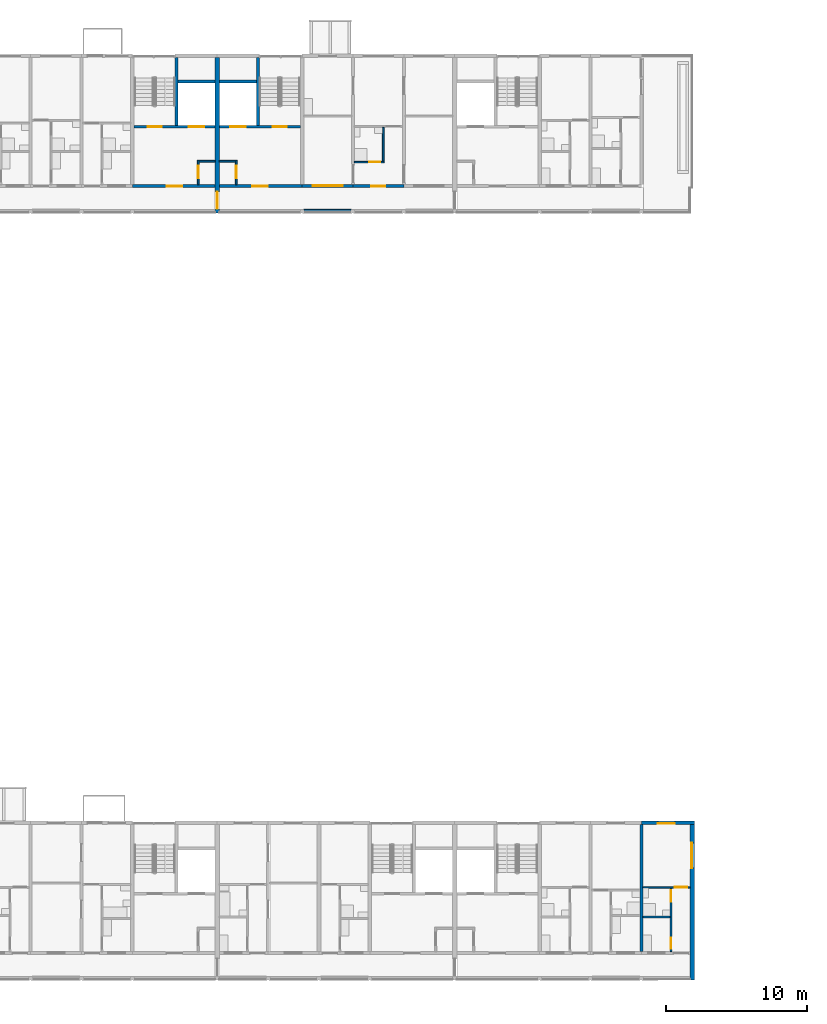
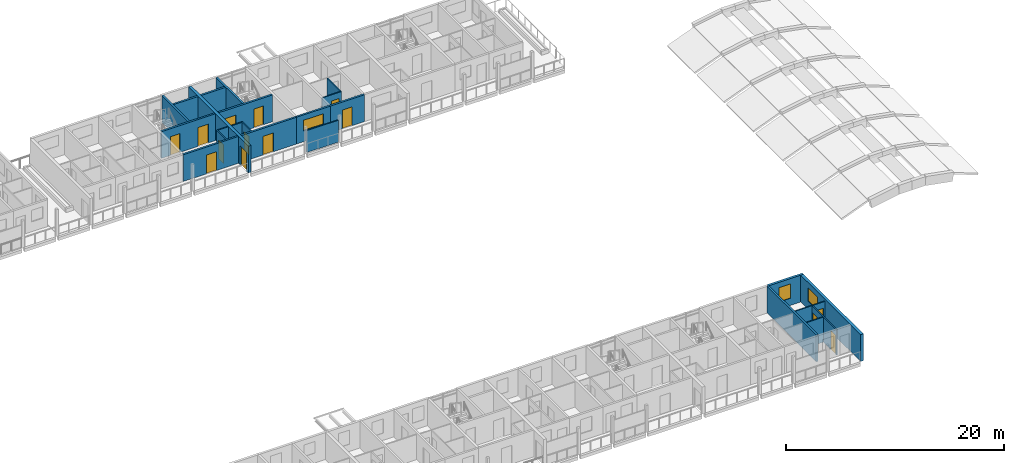
# One storey, part 40 of 93: 24 walls, 14 doors, 3 windows, 17 openings.
"""IFC4 building model written with IfcOpenShell, lengths in metres."""

import ifcopenshell
import ifcopenshell.guid

model = None  # the IFC model being written
_history = None  # IfcOwnerHistory: only IFC2X3 demands one
_inside = {}  # id of a spatial element -> (the spatial element, [elements in it])
_under = {}  # id of a project, library or spatial element -> (it, [spatial elements below it])
_declared = {}  # id of a project -> (the project, [libraries it declares])
_typed = {}  # id of a type object -> (the type object, [elements of that type])
_made_of = {}  # id of a material, layer set ... -> (it, [elements and type objects made of it])


def new_model(schema):
    """Start an empty IFC model of exactly this schema.

    Asked for "IFC4X3", IfcOpenShell would pick the latest addendum, in which some entities
    have other attributes; the version numbers below select the first issue.
    IFC2X3 requires an IfcOwnerHistory on every rooted entity: one is made here for all.
    """
    global model, _history
    if schema == "IFC4X3":
        model = ifcopenshell.file(schema_version=(4, 3, 0, 0))
    else:
        model = ifcopenshell.file(schema=schema)
    _inside.clear()
    _under.clear()
    _declared.clear()
    _typed.clear()
    _made_of.clear()
    _history = None
    if model.schema == "IFC2X3":
        org = make("IfcOrganization", Name="unknown")
        user = make(
            "IfcPersonAndOrganization",
            ThePerson=make("IfcPerson", FamilyName="unknown"),
            TheOrganization=org,
        )
        app = make(
            "IfcApplication",
            ApplicationDeveloper=org,
            Version="unknown",
            ApplicationFullName="unknown",
            ApplicationIdentifier="unknown",
        )
        _history = make(
            "IfcOwnerHistory",
            OwningUser=user,
            OwningApplication=app,
            ChangeAction="ADDED",
            CreationDate=0,
        )
    return model


def make(cls, **values):
    """One entity of the class cls with the attributes given. An attribute that is None is left unset."""
    return model.create_entity(
        cls, **{name: value for name, value in values.items() if value is not None}
    )


def rooted(cls, **values):
    """An entity with a GlobalId (a new one), such as an element, a storey or a relation."""
    return make(cls, GlobalId=ifcopenshell.guid.new(), OwnerHistory=_history, **values)


def si_unit(unit_type, name, prefix=None):
    """IfcSIUnit, for example si_unit("LENGTHUNIT", "METRE", prefix="MILLI")."""
    return make("IfcSIUnit", UnitType=unit_type, Prefix=prefix, Name=name)


def assignment(units):
    """IfcUnitAssignment: the units of a project."""
    return None if units is None else make("IfcUnitAssignment", Units=units)


def point(xyz):
    """IfcCartesianPoint."""
    return None if xyz is None else make("IfcCartesianPoint", Coordinates=xyz)


def direction(xyz):
    """IfcDirection."""
    return None if xyz is None else make("IfcDirection", DirectionRatios=xyz)


def frame(location, z_axis=None, x_axis=None):
    """IfcAxis2Placement3D, a coordinate frame: its origin and axes. An axis left out is left unset."""
    return make(
        "IfcAxis2Placement3D",
        Location=point(location),
        Axis=direction(z_axis),
        RefDirection=direction(x_axis),
    )


def frame_2d(location, x_axis=None):
    """IfcAxis2Placement2D, a coordinate frame in the plane: its origin and x axis."""
    return make(
        "IfcAxis2Placement2D", Location=point(location), RefDirection=direction(x_axis)
    )


def origin():
    """The frame at (0, 0, 0) with its axes left unset."""
    return frame((0.0, 0.0, 0.0))


def place(relative_to, where):
    """IfcLocalPlacement: puts the frame where relative to a parent placement (None: the world)."""
    return make(
        "IfcLocalPlacement", PlacementRelTo=relative_to, RelativePlacement=where
    )


def context(
    kind, dimensions, precision=None, world=None, true_north=None, identifier=None
):
    """IfcGeometricRepresentationContext, for example the 3D "Model" context."""
    return make(
        "IfcGeometricRepresentationContext",
        ContextIdentifier=identifier,
        ContextType=kind,
        CoordinateSpaceDimension=dimensions,
        Precision=precision,
        WorldCoordinateSystem=world,
        TrueNorth=true_north,
    )


def subcontext(parent, identifier, kind, view, scale=None):
    """IfcGeometricRepresentationSubContext, for example "Body" below "Model"."""
    return make(
        "IfcGeometricRepresentationSubContext",
        ContextIdentifier=identifier,
        ContextType=kind,
        ParentContext=parent,
        TargetScale=scale,
        TargetView=view,
    )


def project(units=None, contexts=None):
    """IfcProject with its units and contexts."""
    return rooted(
        "IfcProject",
        Name="project",
        RepresentationContexts=contexts,
        UnitsInContext=assignment(units),
    )


def spatial(cls, under=None, at=None, **own):
    """A site, building, storey or space (cls), placed at a placement, below another one or the project."""
    s = rooted(cls, ObjectPlacement=at, **own)
    if under is not None:
        _under.setdefault(under.id(), (under, []))[1].append(s)
    return s


def profile(cls, at=None, kind="AREA", **sizes):
    """A parametric profile (cls). Its sizes go by their IFC names, for example OverallWidth=200.0."""
    return make(cls, ProfileType=kind, Position=at, **sizes)


def rectangle(**sizes):
    """IfcRectangleProfileDef."""
    return profile("IfcRectangleProfileDef", **sizes)


def extrude(swept, where, along, depth):
    """IfcExtrudedAreaSolid: the profile swept, set in the frame where, extruded along a direction by depth."""
    return make(
        "IfcExtrudedAreaSolid",
        SweptArea=swept,
        Position=where,
        ExtrudedDirection=direction(along),
        Depth=depth,
    )


def shape(context_of_items, identifier, shape_type, items):
    """IfcShapeRepresentation: the items that make up one representation, for example the "Body"."""
    return make(
        "IfcShapeRepresentation",
        ContextOfItems=context_of_items,
        RepresentationIdentifier=identifier,
        RepresentationType=shape_type,
        Items=items,
    )


def material(Name=None, Category=None):
    """IfcMaterial."""
    return make("IfcMaterial", Name=Name, Category=Category)


def layer(
    of_material, thickness, ventilated=None, Name=None, Category=None, Priority=None
):
    """IfcMaterialLayer: one layer of a wall or slab, of a material (None: an air gap)."""
    return make(
        "IfcMaterialLayer",
        Material=of_material,
        LayerThickness=thickness,
        IsVentilated=ventilated,
        Name=Name,
        Category=Category,
        Priority=Priority,
    )


def layer_set(layers, Name=None):
    """IfcMaterialLayerSet."""
    return make("IfcMaterialLayerSet", MaterialLayers=layers, LayerSetName=Name)


def made_of(thing, what):
    """Note that an element or type object is made of a material, layer set ...; save() writes the relation."""
    if what is not None:
        _made_of.setdefault(what.id(), (what, []))[1].append(thing)
    return thing


def type_object(cls, material=None, **own):
    """A type object (cls), such as IfcWallType, which elements share."""
    return made_of(rooted(cls, **own), material)


def element(
    cls,
    number,
    at=None,
    inside=None,
    cuts=None,
    type_object=None,
    material=None,
    context=None,
    identifier="Body",
    shape_type=None,
    held_by="IfcProductDefinitionShape",
    body=None,
    shapes=None,
    **own,
):
    """One element of the class cls, such as IfcWall. Its Tag is "e" and its number.

    at: its placement. inside: the storey or other place that contains it. cuts: it is an
    opening in that element (IfcRelVoidsElement). A single representation is given by context,
    identifier, shape_type and body (its items); several are given by shapes. held_by: the class
    of the entity that holds the representations. save() writes the other relations.
    """
    e = rooted(cls, Tag="e%d" % number, ObjectPlacement=at, **own)
    if body is not None:
        shapes = [shape(context, identifier, shape_type, body)]
    if shapes is not None:
        e.Representation = make(held_by, Representations=shapes)
    if inside is not None:
        _inside.setdefault(inside.id(), (inside, []))[1].append(e)
    if cuts is not None:
        rooted(
            "IfcRelVoidsElement", RelatingBuildingElement=cuts, RelatedOpeningElement=e
        )
    if type_object is not None:
        _typed.setdefault(type_object.id(), (type_object, []))[1].append(e)
    return made_of(e, material)


def fill(opening, filler):
    """IfcRelFillsElement: the door or window that sits in an opening."""
    return rooted(
        "IfcRelFillsElement",
        RelatingOpeningElement=opening,
        RelatedBuildingElement=filler,
    )


def aggregate(whole, parts):
    """IfcRelAggregates: a whole, such as a stair, and the parts it consists of."""
    return rooted("IfcRelAggregates", RelatingObject=whole, RelatedObjects=parts)


def save(model, path):
    """Write the relations noted so far, then the file.

    IfcRelAggregates (storeys below a building ...), IfcRelContainedInSpatialStructure (elements
    in a storey), IfcRelDefinesByType, IfcRelAssociatesMaterial and IfcRelDeclares: one each for
    every whole, place, type object, material and project.
    """
    for whole, parts in _under.values():
        aggregate(whole, parts)
    for where, things in _inside.values():
        rooted(
            "IfcRelContainedInSpatialStructure",
            RelatedElements=things,
            RelatingStructure=where,
        )
    for kind, things in _typed.values():
        rooted("IfcRelDefinesByType", RelatedObjects=things, RelatingType=kind)
    for what, things in _made_of.values():
        rooted("IfcRelAssociatesMaterial", RelatedObjects=things, RelatingMaterial=what)
    for by, libraries in _declared.values():
        rooted("IfcRelDeclares", RelatingContext=by, RelatedDefinitions=libraries)
    model.write(path)


model = new_model("IFC4")

# Units and contexts
model_context = context("Model", 3, precision=1e-05, world=origin(), true_north=direction((0.0, 1.0)))
body_context = subcontext(model_context, "Body", "Model", "MODEL_VIEW")
ifc_project = project(units=[si_unit("LENGTHUNIT", "METRE"), si_unit("AREAUNIT", "SQUARE_METRE"), si_unit("VOLUMEUNIT", "CUBIC_METRE"), si_unit("PLANEANGLEUNIT", "RADIAN"), si_unit("MASSUNIT", "GRAM", prefix="KILO")], contexts=[model_context])

# Site, building, storey
site_placement = place(None, origin())
site = spatial("IfcSite", under=ifc_project, at=site_placement, CompositionType="ELEMENT")
building_placement = place(site_placement, origin())
building = spatial("IfcBuilding", under=site, at=building_placement, Name="Ridgestep Commons", CompositionType="ELEMENT")
storey_placement = place(building_placement, frame((0.0, 0.0, 18.0)))
storey = spatial("IfcBuildingStorey", under=building, at=storey_placement, Name="L06", CompositionType="ELEMENT", Elevation=18.0)

# Wall, opening, door
ifc_material_1 = material(Name="Concrete C30/37", Category="concrete")
ifc_layer_1 = layer(ifc_material_1, 0.199951171875)
ifc_layer_set_1 = layer_set([ifc_layer_1], Name="Core south wall 200")
wall_type_1 = type_object("IfcWallType", Name="Core south wall 200", PredefinedType="SHEAR", material=ifc_layer_set_1)
wall_1_placement = place(storey_placement, frame((73.199951171875, 67.89990234375, 0.0), z_axis=(0.0, 0.0, 1.0), x_axis=(1.0, 0.0, 0.0)))
wall_1 = element("IfcWall", 1, at=wall_1_placement, inside=storey, type_object=wall_type_1, Name="Core south wall B4C L06", PredefinedType="SHEAR", context=body_context, shape_type="SweptSolid", body=[
    extrude(rectangle(XDim=5.85009765625, YDim=0.199951171875, at=frame_2d((2.925048828125, 0.0))), origin(), (0.0, 0.0, 1.0), 3.0),
])
opening_1_placement = place(wall_1_placement, frame((2.4375, 0.0, 0.0)))
opening_1 = element("IfcOpeningElement", 2, at=opening_1_placement, cuts=wall_1, Name="Opening B4C/06/1", PredefinedType="OPENING", context=body_context, shape_type="SweptSolid", body=[
    extrude(rectangle(XDim=1.10009765625, YDim=2.10009765625, at=frame_2d((0.550048828125, 1.050048828125))), frame((0.0, 0.10986328125, 0.0), z_axis=(0.0, -1.0, 0.0), x_axis=(1.0, 0.0, 0.0)), (0.0, 0.0, 1.0), 0.219970703125),
])
ifc_material_2 = material(Name="Steel fire door", Category="steel")
door_type_1 = type_object("IfcDoorType", Name="Lobby door 1100 x 2100 FD60", OperationType="NOTDEFINED", PredefinedType="DOOR", material=ifc_material_2)
door_1_placement = place(opening_1_placement, origin())
door_1 = element("IfcDoor", 3, at=door_1_placement, inside=storey, type_object=door_type_1, Name="Lobby door B4C/06/1", OperationType="SINGLE_SWING_LEFT", OverallHeight=2.10009765625, OverallWidth=1.10009765625, PredefinedType="DOOR", context=body_context, shape_type="SweptSolid", body=[
    extrude(rectangle(XDim=1.10009765625, YDim=2.10009765625, at=frame_2d((0.550048828125, 1.050048828125))), frame((0.0, 0.02490234375, 0.0), z_axis=(0.0, -1.0, 0.0), x_axis=(1.0, 0.0, 0.0)), (0.0, 0.0, 1.0), 0.050048828125),
])
fill(opening_1, door_1)

wall_2_placement = place(storey_placement, frame((79.35009765625, 67.89990234375, 0.0), z_axis=(0.0, 0.0, 1.0), x_axis=(1.0, 0.0, 0.0)))
wall_2 = element("IfcWall", 4, at=wall_2_placement, inside=storey, type_object=wall_type_1, Name="Core south wall B5C L06", PredefinedType="SHEAR", context=body_context, shape_type="SweptSolid", body=[
    extrude(rectangle(XDim=5.849853515625, YDim=0.199951171875, at=frame_2d((2.9248046875, 0.0))), origin(), (0.0, 0.0, 1.0), 3.0),
])
opening_2_placement = place(wall_2_placement, frame((2.3125, 0.0, 0.0)))
opening_2 = element("IfcOpeningElement", 5, at=opening_2_placement, cuts=wall_2, Name="Opening B5C/06/1", PredefinedType="OPENING", context=body_context, shape_type="SweptSolid", body=[
    extrude(rectangle(XDim=1.10009765625, YDim=2.10009765625, at=frame_2d((0.550048828125, 1.050048828125))), frame((0.0, 0.10986328125, 0.0), z_axis=(0.0, -1.0, 0.0), x_axis=(1.0, 0.0, 0.0)), (0.0, 0.0, 1.0), 0.219970703125),
])
door_2_placement = place(opening_2_placement, origin())
door_2 = element("IfcDoor", 6, at=door_2_placement, inside=storey, type_object=door_type_1, Name="Lobby door B5C/06/1", OperationType="SINGLE_SWING_LEFT", OverallHeight=2.10009765625, OverallWidth=1.10009765625, PredefinedType="DOOR", context=body_context, shape_type="SweptSolid", body=[
    extrude(rectangle(XDim=1.10009765625, YDim=2.10009765625, at=frame_2d((0.550048828125, 1.050048828125))), frame((0.0, 0.02490234375, 0.0), z_axis=(0.0, -1.0, 0.0), x_axis=(1.0, 0.0, 0.0)), (0.0, 0.0, 1.0), 0.050048828125),
])
fill(opening_2, door_2)

ifc_material_3 = material(Name="Concrete C30/37", Category="concrete")
ifc_layer_2 = layer(ifc_material_3, 0.1201171875)
ifc_layer_set_2 = layer_set([ifc_layer_2], Name="Core wall 120")
wall_type_2 = type_object("IfcWallType", Name="Core wall 120", PredefinedType="SHEAR", material=ifc_layer_set_2)
wall_3_placement = place(storey_placement, frame((77.860107421875, 68.0, 0.0), z_axis=(0.0, 0.0, 1.0), x_axis=(0.0, 1.0, 0.0)))
wall_3 = element("IfcWall", 7, at=wall_3_placement, inside=storey, type_object=wall_type_2, Name="Core riser w wall B4C L06", PredefinedType="SHEAR", context=body_context, shape_type="SweptSolid", body=[
    extrude(rectangle(XDim=1.719970703125, YDim=0.1201171875, at=frame_2d((0.85986328125, 0.0))), origin(), (0.0, 0.0, 1.0), 3.0),
])
opening_3_placement = place(wall_3_placement, frame((0.449951171875, 0.0, 0.0)))
opening_3 = element("IfcOpeningElement", 8, at=opening_3_placement, cuts=wall_3, Name="Opening B4C/06/4", PredefinedType="OPENING", context=body_context, shape_type="SweptSolid", body=[
    extrude(rectangle(XDim=0.89990234375, YDim=2.10009765625, at=frame_2d((0.449951171875, 1.050048828125))), frame((0.0, 0.070068359375, 0.0), z_axis=(0.0, -1.0, 0.0), x_axis=(1.0, 0.0, 0.0)), (0.0, 0.0, 1.0), 0.14013671875),
])
ifc_material_4 = material(Name="Steel fire door", Category="steel")
door_type_2 = type_object("IfcDoorType", Name="Riser door 900 x 2100 FD60", OperationType="NOTDEFINED", PredefinedType="DOOR", material=ifc_material_4)
door_3_placement = place(opening_3_placement, origin())
door_3 = element("IfcDoor", 9, at=door_3_placement, inside=storey, type_object=door_type_2, Name="Riser door B4C/06/4", OperationType="SINGLE_SWING_LEFT", OverallHeight=2.10009765625, OverallWidth=0.89990234375, PredefinedType="DOOR", context=body_context, shape_type="SweptSolid", body=[
    extrude(rectangle(XDim=0.89990234375, YDim=2.10009765625, at=frame_2d((0.449951171875, 1.050048828125))), frame((0.0, 0.02490234375, 0.0), z_axis=(0.0, -1.0, 0.0), x_axis=(1.0, 0.0, 0.0)), (0.0, 0.0, 1.0), 0.050048828125),
])
fill(opening_3, door_3)

# Wall
wall_4_placement = place(storey_placement, frame((77.919921875, 69.659912109375, 0.0), z_axis=(0.0, 0.0, 1.0), x_axis=(1.0, 0.0, 0.0)))
element("IfcWall", 10, at=wall_4_placement, inside=storey, type_object=wall_type_2, Name="Core riser n wall B4C L06", PredefinedType="SHEAR", context=body_context, shape_type="SweptSolid", body=[
    extrude(rectangle(XDim=1.130126953125, YDim=0.1201171875, at=frame_2d((0.56494140625, 0.0))), origin(), (0.0, 0.0, 1.0), 3.0),
])

# Wall, opening, door
wall_5_placement = place(storey_placement, frame((80.5400390625, 68.0, 0.0), z_axis=(0.0, 0.0, 1.0), x_axis=(0.0, 1.0, 0.0)))
wall_5 = element("IfcWall", 11, at=wall_5_placement, inside=storey, type_object=wall_type_2, Name="Core riser w wall B5C L06", PredefinedType="SHEAR", context=body_context, shape_type="SweptSolid", body=[
    extrude(rectangle(XDim=1.719970703125, YDim=0.1201171875, at=frame_2d((0.85986328125, 0.0))), origin(), (0.0, 0.0, 1.0), 3.0),
])
opening_4_placement = place(wall_5_placement, frame((0.449951171875, 0.0, 0.0)))
opening_4 = element("IfcOpeningElement", 12, at=opening_4_placement, cuts=wall_5, Name="Opening B5C/06/4", PredefinedType="OPENING", context=body_context, shape_type="SweptSolid", body=[
    extrude(rectangle(XDim=0.89990234375, YDim=2.10009765625, at=frame_2d((0.449951171875, 1.050048828125))), frame((0.0, 0.070068359375, 0.0), z_axis=(0.0, -1.0, 0.0), x_axis=(1.0, 0.0, 0.0)), (0.0, 0.0, 1.0), 0.14013671875),
])
door_4_placement = place(opening_4_placement, origin())
door_4 = element("IfcDoor", 13, at=door_4_placement, inside=storey, type_object=door_type_2, Name="Riser door B5C/06/4", OperationType="SINGLE_SWING_RIGHT", OverallHeight=2.10009765625, OverallWidth=0.89990234375, PredefinedType="DOOR", context=body_context, shape_type="SweptSolid", body=[
    extrude(rectangle(XDim=0.89990234375, YDim=2.10009765625, at=frame_2d((0.449951171875, 1.050048828125))), frame((0.0, 0.02490234375, 0.0), z_axis=(0.0, -1.0, 0.0), x_axis=(1.0, 0.0, 0.0)), (0.0, 0.0, 1.0), 0.050048828125),
])
fill(opening_4, door_4)

# Wall
wall_6_placement = place(storey_placement, frame((79.35009765625, 69.659912109375, 0.0), z_axis=(0.0, 0.0, 1.0), x_axis=(1.0, 0.0, 0.0)))
element("IfcWall", 14, at=wall_6_placement, inside=storey, type_object=wall_type_2, Name="Core riser n wall B5C L06", PredefinedType="SHEAR", context=body_context, shape_type="SweptSolid", body=[
    extrude(rectangle(XDim=1.1298828125, YDim=0.1201171875, at=frame_2d((0.56494140625, 0.0))), origin(), (0.0, 0.0, 1.0), 3.0),
])

# Wall, openings, doors
ifc_material_5 = material(Name="Concrete C30/37", Category="concrete")
ifc_layer_3 = layer(ifc_material_5, 0.199951171875)
ifc_layer_set_3 = layer_set([ifc_layer_3], Name="Core wall 200")
wall_type_3 = type_object("IfcWallType", Name="Core wall 200", PredefinedType="SHEAR", material=ifc_layer_set_3)
wall_7_placement = place(storey_placement, frame((73.324951171875, 72.10009765625, 0.0), z_axis=(0.0, 0.0, 1.0), x_axis=(1.0, 0.0, 0.0)))
wall_7 = element("IfcWall", 15, at=wall_7_placement, inside=storey, type_object=wall_type_3, Name="Core lobby wall B4C L06", PredefinedType="SHEAR", context=body_context, shape_type="SweptSolid", body=[
    extrude(rectangle(XDim=5.72509765625, YDim=0.199951171875, at=frame_2d((2.862548828125, 0.0))), origin(), (0.0, 0.0, 1.0), 3.0),
])
opening_5_placement = place(wall_7_placement, frame((0.949951171875, 0.0, 0.0)))
opening_5 = element("IfcOpeningElement", 16, at=opening_5_placement, cuts=wall_7, Name="Opening B4C/06/2", PredefinedType="OPENING", context=body_context, shape_type="SweptSolid", body=[
    extrude(rectangle(XDim=1.0, YDim=2.10009765625, at=frame_2d((0.5, 1.050048828125))), frame((0.0, 0.10986328125, 0.0), z_axis=(0.0, -1.0, 0.0), x_axis=(1.0, 0.0, 0.0)), (0.0, 0.0, 1.0), 0.219970703125),
])
opening_6_placement = place(wall_7_placement, frame((3.862548828125, 0.0, 0.0)))
opening_6 = element("IfcOpeningElement", 17, at=opening_6_placement, cuts=wall_7, Name="Opening B4C/06/3", PredefinedType="OPENING", context=body_context, shape_type="SweptSolid", body=[
    extrude(rectangle(XDim=1.10009765625, YDim=2.10009765625, at=frame_2d((0.550048828125, 1.050048828125))), frame((0.0, 0.10986328125, 0.0), z_axis=(0.0, -1.0, 0.0), x_axis=(1.0, 0.0, 0.0)), (0.0, 0.0, 1.0), 0.219970703125),
])
ifc_material_6 = material(Name="Stainless steel", Category="steel")
door_type_3 = type_object("IfcDoorType", Name="Lift landing door 1100 x 2100 FD60", OperationType="DOUBLE_DOOR_SLIDING", PredefinedType="DOOR", material=ifc_material_6)
door_5_placement = place(opening_6_placement, origin())
door_5 = element("IfcDoor", 18, at=door_5_placement, inside=storey, type_object=door_type_3, Name="Landing door LD B4C L06", OperationType="DOUBLE_DOOR_SLIDING", OverallHeight=2.10009765625, OverallWidth=1.10009765625, PredefinedType="DOOR", context=body_context, shape_type="SweptSolid", body=[
    extrude(rectangle(XDim=1.10009765625, YDim=2.10009765625, at=frame_2d((0.550048828125, 1.050048828125))), frame((0.0, 0.02490234375, 0.0), z_axis=(0.0, -1.0, 0.0), x_axis=(1.0, 0.0, 0.0)), (0.0, 0.0, 1.0), 0.050048828125),
])
fill(opening_6, door_5)
ifc_material_7 = material(Name="Steel fire door", Category="steel")
door_type_4 = type_object("IfcDoorType", Name="Stair door 1000 x 2100 FD60", OperationType="NOTDEFINED", PredefinedType="DOOR", material=ifc_material_7)
door_6_placement = place(opening_5_placement, origin())
door_6 = element("IfcDoor", 19, at=door_6_placement, inside=storey, type_object=door_type_4, Name="Stair door B4C/06/2", OperationType="SINGLE_SWING_RIGHT", OverallHeight=2.10009765625, OverallWidth=1.0, PredefinedType="DOOR", context=body_context, shape_type="SweptSolid", body=[
    extrude(rectangle(XDim=1.0, YDim=2.10009765625, at=frame_2d((0.5, 1.050048828125))), frame((0.0, 0.02490234375, 0.0), z_axis=(0.0, -1.0, 0.0), x_axis=(1.0, 0.0, 0.0)), (0.0, 0.0, 1.0), 0.050048828125),
])
fill(opening_5, door_6)

# Walls
wall_8_placement = place(storey_placement, frame((76.324951171875, 72.199951171875, 0.0), z_axis=(0.0, 0.0, 1.0), x_axis=(0.0, 1.0, 0.0)))
element("IfcWall", 20, at=wall_8_placement, inside=storey, type_object=wall_type_3, Name="Core stair wall B4C L06", PredefinedType="SHEAR", context=body_context, shape_type="SweptSolid", body=[
    extrude(rectangle(XDim=4.800048828125, YDim=0.199951171875, at=frame_2d((2.39990234375, 0.0))), origin(), (0.0, 0.0, 1.0), 3.0),
])
wall_9_placement = place(storey_placement, frame((76.425048828125, 75.300048828125, 0.0), z_axis=(0.0, 0.0, 1.0), x_axis=(1.0, 0.0, 0.0)))
element("IfcWall", 21, at=wall_9_placement, inside=storey, type_object=wall_type_3, Name="Core duct wall B4C L06", PredefinedType="SHEAR", context=body_context, shape_type="SweptSolid", body=[
    extrude(rectangle(XDim=2.625, YDim=0.199951171875, at=frame_2d((1.3125, 0.0))), origin(), (0.0, 0.0, 1.0), 3.0),
])

# Wall, openings, doors
wall_10_placement = place(storey_placement, frame((79.35009765625, 72.10009765625, 0.0), z_axis=(0.0, 0.0, 1.0), x_axis=(1.0, 0.0, 0.0)))
wall_10 = element("IfcWall", 22, at=wall_10_placement, inside=storey, type_object=wall_type_3, Name="Core lobby wall B5C L06", PredefinedType="SHEAR", context=body_context, shape_type="SweptSolid", body=[
    extrude(rectangle(XDim=5.724853515625, YDim=0.199951171875, at=frame_2d((2.8623046875, 0.0))), origin(), (0.0, 0.0, 1.0), 3.0),
])
opening_7_placement = place(wall_10_placement, frame((3.77490234375, 0.0, 0.0)))
opening_7 = element("IfcOpeningElement", 23, at=opening_7_placement, cuts=wall_10, Name="Opening B5C/06/2", PredefinedType="OPENING", context=body_context, shape_type="SweptSolid", body=[
    extrude(rectangle(XDim=1.0, YDim=2.10009765625, at=frame_2d((0.5, 1.050048828125))), frame((0.0, 0.10986328125, 0.0), z_axis=(0.0, -1.0, 0.0), x_axis=(1.0, 0.0, 0.0)), (0.0, 0.0, 1.0), 0.219970703125),
])
opening_8_placement = place(wall_10_placement, frame((0.762451171875, 0.0, 0.0)))
opening_8 = element("IfcOpeningElement", 24, at=opening_8_placement, cuts=wall_10, Name="Opening B5C/06/3", PredefinedType="OPENING", context=body_context, shape_type="SweptSolid", body=[
    extrude(rectangle(XDim=1.10009765625, YDim=2.10009765625, at=frame_2d((0.550048828125, 1.050048828125))), frame((0.0, 0.10986328125, 0.0), z_axis=(0.0, -1.0, 0.0), x_axis=(1.0, 0.0, 0.0)), (0.0, 0.0, 1.0), 0.219970703125),
])
door_7_placement = place(opening_8_placement, origin())
door_7 = element("IfcDoor", 25, at=door_7_placement, inside=storey, type_object=door_type_3, Name="Landing door LD B5C L06", OperationType="DOUBLE_DOOR_SLIDING", OverallHeight=2.10009765625, OverallWidth=1.10009765625, PredefinedType="DOOR", context=body_context, shape_type="SweptSolid", body=[
    extrude(rectangle(XDim=1.10009765625, YDim=2.10009765625, at=frame_2d((0.550048828125, 1.050048828125))), frame((0.0, 0.02490234375, 0.0), z_axis=(0.0, -1.0, 0.0), x_axis=(1.0, 0.0, 0.0)), (0.0, 0.0, 1.0), 0.050048828125),
])
fill(opening_8, door_7)
door_8_placement = place(opening_7_placement, origin())
door_8 = element("IfcDoor", 26, at=door_8_placement, inside=storey, type_object=door_type_4, Name="Stair door B5C/06/2", OperationType="SINGLE_SWING_RIGHT", OverallHeight=2.10009765625, OverallWidth=1.0, PredefinedType="DOOR", context=body_context, shape_type="SweptSolid", body=[
    extrude(rectangle(XDim=1.0, YDim=2.10009765625, at=frame_2d((0.5, 1.050048828125))), frame((0.0, 0.02490234375, 0.0), z_axis=(0.0, -1.0, 0.0), x_axis=(1.0, 0.0, 0.0)), (0.0, 0.0, 1.0), 0.050048828125),
])
fill(opening_7, door_8)

# Walls
wall_11_placement = place(storey_placement, frame((82.074951171875, 72.199951171875, 0.0), z_axis=(0.0, 0.0, 1.0), x_axis=(0.0, 1.0, 0.0)))
element("IfcWall", 27, at=wall_11_placement, inside=storey, type_object=wall_type_3, Name="Core stair wall B5C L06", PredefinedType="SHEAR", context=body_context, shape_type="SweptSolid", body=[
    extrude(rectangle(XDim=4.800048828125, YDim=0.199951171875, at=frame_2d((2.39990234375, 0.0))), origin(), (0.0, 0.0, 1.0), 3.0),
])
wall_12_placement = place(storey_placement, frame((79.35009765625, 75.300048828125, 0.0), z_axis=(0.0, 0.0, 1.0), x_axis=(1.0, 0.0, 0.0)))
element("IfcWall", 28, at=wall_12_placement, inside=storey, type_object=wall_type_3, Name="Core duct wall B5C L06", PredefinedType="SHEAR", context=body_context, shape_type="SweptSolid", body=[
    extrude(rectangle(XDim=2.625, YDim=0.199951171875, at=frame_2d((1.3125, 0.0))), origin(), (0.0, 0.0, 1.0), 3.0),
])
ifc_material_8 = material(Name="Precast concrete C40/50", Category="concrete")
ifc_layer_4 = layer(ifc_material_8, 0.199951171875)
ifc_layer_set_4 = layer_set([ifc_layer_4], Name="Cross wall 200")
wall_type_4 = type_object("IfcWallType", Name="Cross wall 200", PredefinedType="SHEAR", material=ifc_layer_set_4)
wall_13_placement = place(storey_placement, frame((109.199951171875, 13.75, 0.0), z_axis=(0.0, 0.0, 1.0), x_axis=(0.0, 1.0, 0.0)))
element("IfcWall", 29, at=wall_13_placement, inside=storey, type_object=wall_type_4, Name="Cross wall A-06-1092", PredefinedType="SHEAR", context=body_context, shape_type="SweptSolid", body=[
    extrude(rectangle(XDim=9.0, YDim=0.199951171875, at=frame_2d((4.5, 0.0))), origin(), (0.0, 0.0, 1.0), 3.0),
])

# Wall, opening, door
ifc_material_9 = material(Name="Precast concrete C40/50", Category="concrete")
ifc_layer_5 = layer(ifc_material_9, 0.300048828125)
ifc_layer_set_5 = layer_set([ifc_layer_5], Name="Division wall 300")
wall_type_5 = type_object("IfcWallType", Name="Division wall 300", PredefinedType="SHEAR", material=ifc_layer_set_5)
wall_14_placement = place(storey_placement, frame((79.199951171875, 66.0, 0.0), z_axis=(0.0, 0.0, 1.0), x_axis=(0.0, 1.0, 0.0)))
wall_14 = element("IfcWall", 30, at=wall_14_placement, inside=storey, type_object=wall_type_5, Name="Cross wall B-06-0792", PredefinedType="SHEAR", context=body_context, shape_type="SweptSolid", body=[
    extrude(rectangle(XDim=11.0, YDim=0.300048828125, at=frame_2d((5.5, 0.0))), origin(), (0.0, 0.0, 1.0), 3.0),
])
opening_9_placement = place(wall_14_placement, frame((0.300048828125, 0.0, 0.0)))
opening_9 = element("IfcOpeningElement", 31, at=opening_9_placement, cuts=wall_14, Name="Opening B/06/G0792", PredefinedType="OPENING", context=body_context, shape_type="SweptSolid", body=[
    extrude(rectangle(XDim=1.199951171875, YDim=2.10009765625, at=frame_2d((0.60009765625, 1.050048828125))), frame((0.0, 0.159912109375, 0.0), z_axis=(0.0, -1.0, 0.0), x_axis=(1.0, 0.0, 0.0)), (0.0, 0.0, 1.0), 0.320068359375),
])
ifc_material_10 = material(Name="Steel fire door", Category="steel")
door_type_5 = type_object("IfcDoorType", Name="Division fire door 1200 x 2100 EI 240", OperationType="DOUBLE_DOOR_SINGLE_SWING", PredefinedType="DOOR", material=ifc_material_10)
door_9_placement = place(opening_9_placement, origin())
door_9 = element("IfcDoor", 32, at=door_9_placement, inside=storey, type_object=door_type_5, Name="Division fire door B/06/G0792", OperationType="DOUBLE_DOOR_SINGLE_SWING", OverallHeight=2.10009765625, OverallWidth=1.199951171875, PredefinedType="DOOR", context=body_context, shape_type="SweptSolid", body=[
    extrude(rectangle(XDim=1.199951171875, YDim=2.10009765625, at=frame_2d((0.60009765625, 1.050048828125))), frame((0.0, 0.02490234375, 0.0), z_axis=(0.0, -1.0, 0.0), x_axis=(1.0, 0.0, 0.0)), (0.0, 0.0, 1.0), 0.050048828125),
])
fill(opening_9, door_9)

# Wall, opening, window
ifc_material_11 = material(Name="Precast concrete C40/50", Category="concrete")
ifc_layer_6 = layer(ifc_material_11, 0.300048828125)
ifc_layer_set_6 = layer_set([ifc_layer_6], Name="Exposed division wall 300")
wall_type_6 = type_object("IfcWallType", Name="Exposed division wall 300", PredefinedType="SHEAR", material=ifc_layer_set_6)
wall_15_placement = place(storey_placement, frame((112.800048828125, 11.75, 0.0), z_axis=(0.0, 0.0, 1.0), x_axis=(0.0, 1.0, 0.0)))
wall_15 = element("IfcWall", 33, at=wall_15_placement, inside=storey, type_object=wall_type_6, Name="Cross wall A-06-1128", PredefinedType="SHEAR", context=body_context, shape_type="SweptSolid", body=[
    extrude(rectangle(XDim=11.0, YDim=0.300048828125, at=frame_2d((5.5, 0.0))), origin(), (0.0, 0.0, 1.0), 3.0),
])
opening_10_placement = place(wall_15_placement, frame((7.905029296875, 0.0, 0.89990234375)))
opening_10 = element("IfcOpeningElement", 34, at=opening_10_placement, cuts=wall_15, Name="Opening W20", PredefinedType="OPENING", context=body_context, shape_type="SweptSolid", body=[
    extrude(rectangle(XDim=1.800048828125, YDim=1.5, at=frame_2d((0.89990234375, 0.75))), frame((0.0, 0.159912109375, 0.0), z_axis=(0.0, -1.0, 0.0), x_axis=(1.0, 0.0, 0.0)), (0.0, 0.0, 1.0), 0.320068359375),
])
ifc_material_12 = material(Name="Aluminium 6063-T6 and glass", Category="aluminium")
window_type_1 = type_object("IfcWindowType", Name="Flat window 1800 x 1500", PartitioningType="DOUBLE_PANEL_VERTICAL", PredefinedType="WINDOW", material=ifc_material_12)
window_1_placement = place(opening_10_placement, origin())
window_1 = element("IfcWindow", 35, at=window_1_placement, inside=storey, type_object=window_type_1, Name="Window A6-06a 3", OverallHeight=1.5, OverallWidth=1.800048828125, PartitioningType="SINGLE_PANEL", PredefinedType="WINDOW", context=body_context, shape_type="SweptSolid", body=[
    extrude(rectangle(XDim=1.800048828125, YDim=1.5, at=frame_2d((0.89990234375, 0.75))), frame((0.0, 0.06005859375, 0.0), z_axis=(0.0, -1.0, 0.0), x_axis=(1.0, 0.0, 0.0)), (0.0, 0.0, 1.0), 0.06005859375),
])
fill(opening_10, window_1)

ifc_material_13 = material(Name="Precast concrete C40/50", Category="concrete")
ifc_layer_7 = layer(ifc_material_13, 0.25)
ifc_layer_set_7 = layer_set([ifc_layer_7], Name="North facade panel 250")
wall_type_7 = type_object("IfcWallType", Name="North facade panel 250", PredefinedType="SOLIDWALL", material=ifc_layer_set_7)
wall_16_placement = place(storey_placement, frame((109.199951171875, 22.875, 0.0), z_axis=(0.0, 0.0, 1.0), x_axis=(1.0, 0.0, 0.0)))
wall_16 = element("IfcWall", 36, at=wall_16_placement, inside=storey, type_object=wall_type_7, Name="North panel A6T1 L06", PredefinedType="SOLIDWALL", context=body_context, shape_type="SweptSolid", body=[
    extrude(rectangle(XDim=3.75, YDim=0.25, at=frame_2d((1.875, 0.0))), origin(), (0.0, 0.0, 1.0), 3.0),
])
opening_11_placement = place(wall_16_placement, frame((1.175048828125, 0.0, 0.800048828125)))
opening_11 = element("IfcOpeningElement", 37, at=opening_11_placement, cuts=wall_16, Name="Opening W11", PredefinedType="OPENING", context=body_context, shape_type="SweptSolid", body=[
    extrude(rectangle(XDim=1.199951171875, YDim=1.60009765625, at=frame_2d((0.60009765625, 0.800048828125))), frame((0.0, 0.135009765625, 0.0), z_axis=(0.0, -1.0, 0.0), x_axis=(1.0, 0.0, 0.0)), (0.0, 0.0, 1.0), 0.27001953125),
])
ifc_material_14 = material(Name="Aluminium 6063-T6 and glass", Category="aluminium")
window_type_2 = type_object("IfcWindowType", Name="Flat window 1200 x 1600", PartitioningType="SINGLE_PANEL", PredefinedType="WINDOW", material=ifc_material_14)
window_2_placement = place(opening_11_placement, origin())
window_2 = element("IfcWindow", 38, at=window_2_placement, inside=storey, type_object=window_type_2, Name="Window A6-06a 2", OverallHeight=1.60009765625, OverallWidth=1.199951171875, PartitioningType="SINGLE_PANEL", PredefinedType="WINDOW", context=body_context, shape_type="SweptSolid", body=[
    extrude(rectangle(XDim=1.199951171875, YDim=1.60009765625, at=frame_2d((0.60009765625, 0.800048828125))), frame((0.0, -0.02490234375, 0.0), z_axis=(0.0, -1.0, 0.0), x_axis=(1.0, 0.0, 0.0)), (0.0, 0.0, 1.0), 0.06005859375),
])
fill(opening_11, window_2)

# Wall
ifc_material_15 = material(Name="Common brick 110 mm", Category="masonry")
ifc_layer_8 = layer(ifc_material_15, 0.110107421875)
ifc_layer_set_8 = layer_set([ifc_layer_8], Name="Partition 110")
wall_type_8 = type_object("IfcWallType", Name="Partition 110", PredefinedType="PARTITIONING", material=ifc_layer_set_8)
wall_17_placement = place(storey_placement, frame((109.300048828125, 16.205078125, 0.0), z_axis=(0.0, 0.0, 1.0), x_axis=(1.0, 0.0, 0.0)))
element("IfcWall", 39, at=wall_17_placement, inside=storey, type_object=wall_type_8, Name="Partition A6-06a", PredefinedType="PARTITIONING", context=body_context, shape_type="SweptSolid", body=[
    extrude(rectangle(XDim=1.93994140625, YDim=0.110107421875, at=frame_2d((0.969970703125, 0.0))), origin(), (0.0, 0.0, 1.0), 2.800048828125),
])

# Wall, openings, doors
wall_18_placement = place(storey_placement, frame((111.294921875, 13.75, 0.0), z_axis=(0.0, 0.0, 1.0), x_axis=(0.0, 1.0, 0.0)))
wall_18 = element("IfcWall", 40, at=wall_18_placement, inside=storey, type_object=wall_type_8, Name="Partition A6-06a", PredefinedType="PARTITIONING", context=body_context, shape_type="SweptSolid", body=[
    extrude(rectangle(XDim=4.5, YDim=0.110107421875, at=frame_2d((2.25, 0.0))), origin(), (0.0, 0.0, 1.0), 2.800048828125),
])
opening_12_placement = place(wall_18_placement, frame((0.199951171875, 0.0, 0.0)))
opening_12 = element("IfcOpeningElement", 41, at=opening_12_placement, cuts=wall_18, Name="Opening A6-06a/2", PredefinedType="OPENING", context=body_context, shape_type="SweptSolid", body=[
    extrude(rectangle(XDim=0.800048828125, YDim=2.10009765625, at=frame_2d((0.39990234375, 1.050048828125))), frame((0.0, 0.06494140625, 0.0), z_axis=(0.0, -1.0, 0.0), x_axis=(1.0, 0.0, 0.0)), (0.0, 0.0, 1.0), 0.130126953125),
])
opening_13_placement = place(wall_18_placement, frame((3.550048828125, 0.0, 0.0)))
opening_13 = element("IfcOpeningElement", 42, at=opening_13_placement, cuts=wall_18, Name="Opening A6-06a/3", PredefinedType="OPENING", context=body_context, shape_type="SweptSolid", body=[
    extrude(rectangle(XDim=0.800048828125, YDim=2.10009765625, at=frame_2d((0.39990234375, 1.050048828125))), frame((0.0, 0.06494140625, 0.0), z_axis=(0.0, -1.0, 0.0), x_axis=(1.0, 0.0, 0.0)), (0.0, 0.0, 1.0), 0.130126953125),
])
ifc_material_16 = material(Name="Timber door leaf", Category="wood")
door_type_6 = type_object("IfcDoorType", Name="Internal door 800 x 2100", OperationType="NOTDEFINED", PredefinedType="DOOR", material=ifc_material_16)
door_10_placement = place(opening_12_placement, origin())
door_10 = element("IfcDoor", 43, at=door_10_placement, inside=storey, type_object=door_type_6, Name="Internal door A6-06a/2", OperationType="SINGLE_SWING_LEFT", OverallHeight=2.10009765625, OverallWidth=0.800048828125, PredefinedType="DOOR", context=body_context, shape_type="SweptSolid", body=[
    extrude(rectangle(XDim=0.800048828125, YDim=2.10009765625, at=frame_2d((0.39990234375, 1.050048828125))), frame((0.0, 0.02490234375, 0.0), z_axis=(0.0, -1.0, 0.0), x_axis=(1.0, 0.0, 0.0)), (0.0, 0.0, 1.0), 0.050048828125),
])
fill(opening_12, door_10)
door_11_placement = place(opening_13_placement, origin())
door_11 = element("IfcDoor", 44, at=door_11_placement, inside=storey, type_object=door_type_6, Name="Internal door A6-06a/3", OperationType="SINGLE_SWING_RIGHT", OverallHeight=2.10009765625, OverallWidth=0.800048828125, PredefinedType="DOOR", context=body_context, shape_type="SweptSolid", body=[
    extrude(rectangle(XDim=0.800048828125, YDim=2.10009765625, at=frame_2d((0.39990234375, 1.050048828125))), frame((0.0, 0.02490234375, 0.0), z_axis=(0.0, -1.0, 0.0), x_axis=(1.0, 0.0, 0.0)), (0.0, 0.0, 1.0), 0.050048828125),
])
fill(opening_13, door_11)

# Wall, opening, door
wall_19_placement = place(storey_placement, frame((109.300048828125, 18.304931640625, 0.0), z_axis=(0.0, 0.0, 1.0), x_axis=(1.0, 0.0, 0.0)))
wall_19 = element("IfcWall", 45, at=wall_19_placement, inside=storey, type_object=wall_type_8, Name="Partition A6-06a", PredefinedType="PARTITIONING", context=body_context, shape_type="SweptSolid", body=[
    extrude(rectangle(XDim=3.349853515625, YDim=0.110107421875, at=frame_2d((1.6748046875, 0.0))), origin(), (0.0, 0.0, 1.0), 2.800048828125),
])
opening_14_placement = place(wall_19_placement, frame((2.25, 0.0, 0.0)))
opening_14 = element("IfcOpeningElement", 46, at=opening_14_placement, cuts=wall_19, Name="Opening A6-06a/4", PredefinedType="OPENING", context=body_context, shape_type="SweptSolid", body=[
    extrude(rectangle(XDim=0.89990234375, YDim=2.10009765625, at=frame_2d((0.449951171875, 1.050048828125))), frame((0.0, 0.06494140625, 0.0), z_axis=(0.0, -1.0, 0.0), x_axis=(1.0, 0.0, 0.0)), (0.0, 0.0, 1.0), 0.130126953125),
])
ifc_material_17 = material(Name="Timber door leaf", Category="wood")
door_type_7 = type_object("IfcDoorType", Name="Internal door 900 x 2100", OperationType="NOTDEFINED", PredefinedType="DOOR", material=ifc_material_17)
door_12_placement = place(opening_14_placement, origin())
door_12 = element("IfcDoor", 47, at=door_12_placement, inside=storey, type_object=door_type_7, Name="Internal door A6-06a/4", OperationType="SINGLE_SWING_RIGHT", OverallHeight=2.10009765625, OverallWidth=0.89990234375, PredefinedType="DOOR", context=body_context, shape_type="SweptSolid", body=[
    extrude(rectangle(XDim=0.89990234375, YDim=2.10009765625, at=frame_2d((0.449951171875, 1.050048828125))), frame((0.0, 0.02490234375, 0.0), z_axis=(0.0, -1.0, 0.0), x_axis=(1.0, 0.0, 0.0)), (0.0, 0.0, 1.0), 0.050048828125),
])
fill(opening_14, door_12)

wall_20_placement = place(storey_placement, frame((88.89990234375, 69.60498046875, 0.0), z_axis=(0.0, 0.0, 1.0), x_axis=(1.0, 0.0, 0.0)))
wall_20 = element("IfcWall", 48, at=wall_20_placement, inside=storey, type_object=wall_type_8, Name="Partition B5-06a", PredefinedType="PARTITIONING", context=body_context, shape_type="SweptSolid", body=[
    extrude(rectangle(XDim=2.10009765625, YDim=0.110107421875, at=frame_2d((1.050048828125, 0.0))), origin(), (0.0, 0.0, 1.0), 2.800048828125),
])
opening_15_placement = place(wall_20_placement, frame((1.0400390625, 0.0, 0.0)))
opening_15 = element("IfcOpeningElement", 49, at=opening_15_placement, cuts=wall_20, Name="Opening B5-06a/2", PredefinedType="OPENING", context=body_context, shape_type="SweptSolid", body=[
    extrude(rectangle(XDim=0.800048828125, YDim=2.10009765625, at=frame_2d((0.39990234375, 1.050048828125))), frame((0.0, 0.06494140625, 0.0), z_axis=(0.0, -1.0, 0.0), x_axis=(1.0, 0.0, 0.0)), (0.0, 0.0, 1.0), 0.130126953125),
])
door_13_placement = place(opening_15_placement, origin())
door_13 = element("IfcDoor", 50, at=door_13_placement, inside=storey, type_object=door_type_6, Name="Internal door B5-06a/2", OperationType="SINGLE_SWING_RIGHT", OverallHeight=2.10009765625, OverallWidth=0.800048828125, PredefinedType="DOOR", context=body_context, shape_type="SweptSolid", body=[
    extrude(rectangle(XDim=0.800048828125, YDim=2.10009765625, at=frame_2d((0.39990234375, 1.050048828125))), frame((0.0, 0.02490234375, 0.0), z_axis=(0.0, -1.0, 0.0), x_axis=(1.0, 0.0, 0.0)), (0.0, 0.0, 1.0), 0.050048828125),
])
fill(opening_15, door_13)

# Walls
wall_21_placement = place(storey_placement, frame((90.945068359375, 69.659912109375, 0.0), z_axis=(0.0, 0.0, 1.0), x_axis=(0.0, 1.0, 0.0)))
element("IfcWall", 51, at=wall_21_placement, inside=storey, type_object=wall_type_8, Name="Partition B5-06a", PredefinedType="PARTITIONING", context=body_context, shape_type="SweptSolid", body=[
    extrude(rectangle(XDim=2.400146484375, YDim=0.110107421875, at=frame_2d((1.2001953125, 0.0))), origin(), (0.0, 0.0, 1.0), 2.800048828125),
])
ifc_material_18 = material(Name="Precast concrete C30/37", Category="concrete")
ifc_layer_9 = layer(ifc_material_18, 0.10009765625)
ifc_layer_set_9 = layer_set([ifc_layer_9], Name="Perforated gallery screen 3350 x 2450 x 100")
wall_type_9 = type_object("IfcWallType", Name="Perforated gallery screen 3350 x 2450 x 100", PredefinedType="SOLIDWALL", material=ifc_layer_set_9)
wall_22_placement = place(storey_placement, frame((85.324951171875, 66.199951171875, 0.0), z_axis=(0.0, 0.0, 1.0), x_axis=(1.0, 0.0, 0.0)))
element("IfcWall", 52, at=wall_22_placement, inside=storey, type_object=wall_type_9, Name="Gallery screen B5T3 06", PredefinedType="SOLIDWALL", context=body_context, shape_type="SweptSolid", body=[
    extrude(rectangle(XDim=3.35009765625, YDim=0.10009765625, at=frame_2d((1.675048828125, 0.0))), origin(), (0.0, 0.0, 1.0), 2.449951171875),
])

# Wall, opening, window
ifc_material_19 = material(Name="Precast concrete C40/50", Category="concrete")
ifc_layer_10 = layer(ifc_material_19, 0.199951171875)
ifc_layer_set_10 = layer_set([ifc_layer_10], Name="South facade panel 200")
wall_type_10 = type_object("IfcWallType", Name="South facade panel 200", PredefinedType="SOLIDWALL", material=ifc_layer_set_10)
wall_23_placement = place(storey_placement, frame((85.199951171875, 67.89990234375, 0.0), z_axis=(0.0, 0.0, 1.0), x_axis=(1.0, 0.0, 0.0)))
wall_23 = element("IfcWall", 53, at=wall_23_placement, inside=storey, type_object=wall_type_10, Name="South panel B5T3 L06", PredefinedType="SOLIDWALL", context=body_context, shape_type="SweptSolid", body=[
    extrude(rectangle(XDim=3.60009765625, YDim=0.199951171875, at=frame_2d((1.800048828125, 0.0))), origin(), (0.0, 0.0, 1.0), 3.0),
])
opening_16_placement = place(wall_23_placement, frame((0.762451171875, 0.0, 1.199951171875)))
opening_16 = element("IfcOpeningElement", 54, at=opening_16_placement, cuts=wall_23, Name="Opening W22", PredefinedType="OPENING", context=body_context, shape_type="SweptSolid", body=[
    extrude(rectangle(XDim=2.10009765625, YDim=1.199951171875, at=frame_2d((1.050048828125, 0.60009765625))), frame((0.0, 0.10986328125, 0.0), z_axis=(0.0, -1.0, 0.0), x_axis=(1.0, 0.0, 0.0)), (0.0, 0.0, 1.0), 0.219970703125),
])
ifc_material_20 = material(Name="Aluminium 6063-T6 and glass", Category="aluminium")
window_type_3 = type_object("IfcWindowType", Name="Flat window 2100 x 1200", PartitioningType="DOUBLE_PANEL_VERTICAL", PredefinedType="WINDOW", material=ifc_material_20)
window_3_placement = place(opening_16_placement, origin())
window_3 = element("IfcWindow", 55, at=window_3_placement, inside=storey, type_object=window_type_3, Name="Window B5-06a 1", OverallHeight=1.199951171875, OverallWidth=2.10009765625, PartitioningType="SINGLE_PANEL", PredefinedType="WINDOW", context=body_context, shape_type="SweptSolid", body=[
    extrude(rectangle(XDim=2.10009765625, YDim=1.199951171875, at=frame_2d((1.050048828125, 0.60009765625))), frame((0.0, 0.06005859375, 0.0), z_axis=(0.0, -1.0, 0.0), x_axis=(1.0, 0.0, 0.0)), (0.0, 0.0, 1.0), 0.06005859375),
])
fill(opening_16, window_3)

# Wall, opening, door
wall_24_placement = place(storey_placement, frame((88.800048828125, 67.89990234375, 0.0), z_axis=(0.0, 0.0, 1.0), x_axis=(1.0, 0.0, 0.0)))
wall_24 = element("IfcWall", 56, at=wall_24_placement, inside=storey, type_object=wall_type_10, Name="South panel B5T2 L06", PredefinedType="SOLIDWALL", context=body_context, shape_type="SweptSolid", body=[
    extrude(rectangle(XDim=3.599853515625, YDim=0.199951171875, at=frame_2d((1.7998046875, 0.0))), origin(), (0.0, 0.0, 1.0), 3.0),
])
opening_17_placement = place(wall_24_placement, frame((1.300048828125, 0.0, 0.0)))
opening_17 = element("IfcOpeningElement", 57, at=opening_17_placement, cuts=wall_24, Name="Opening B5-06a/1", PredefinedType="OPENING", context=body_context, shape_type="SweptSolid", body=[
    extrude(rectangle(XDim=1.0, YDim=2.10009765625, at=frame_2d((0.5, 1.050048828125))), frame((0.0, 0.10986328125, 0.0), z_axis=(0.0, -1.0, 0.0), x_axis=(1.0, 0.0, 0.0)), (0.0, 0.0, 1.0), 0.219970703125),
])
ifc_material_21 = material(Name="Timber door leaf", Category="wood")
door_type_8 = type_object("IfcDoorType", Name="Flat entrance door 1000 x 2100 FD30S", OperationType="NOTDEFINED", PredefinedType="DOOR", material=ifc_material_21)
door_14_placement = place(opening_17_placement, origin())
door_14 = element("IfcDoor", 58, at=door_14_placement, inside=storey, type_object=door_type_8, Name="Flat entrance door B5-06a/1", OperationType="SINGLE_SWING_RIGHT", OverallHeight=2.10009765625, OverallWidth=1.0, PredefinedType="DOOR", context=body_context, shape_type="SweptSolid", body=[
    extrude(rectangle(XDim=1.0, YDim=2.10009765625, at=frame_2d((0.5, 1.050048828125))), frame((0.0, 0.02490234375, 0.0), z_axis=(0.0, -1.0, 0.0), x_axis=(1.0, 0.0, 0.0)), (0.0, 0.0, 1.0), 0.050048828125),
])
fill(opening_17, door_14)

save(model, "model.ifc")
